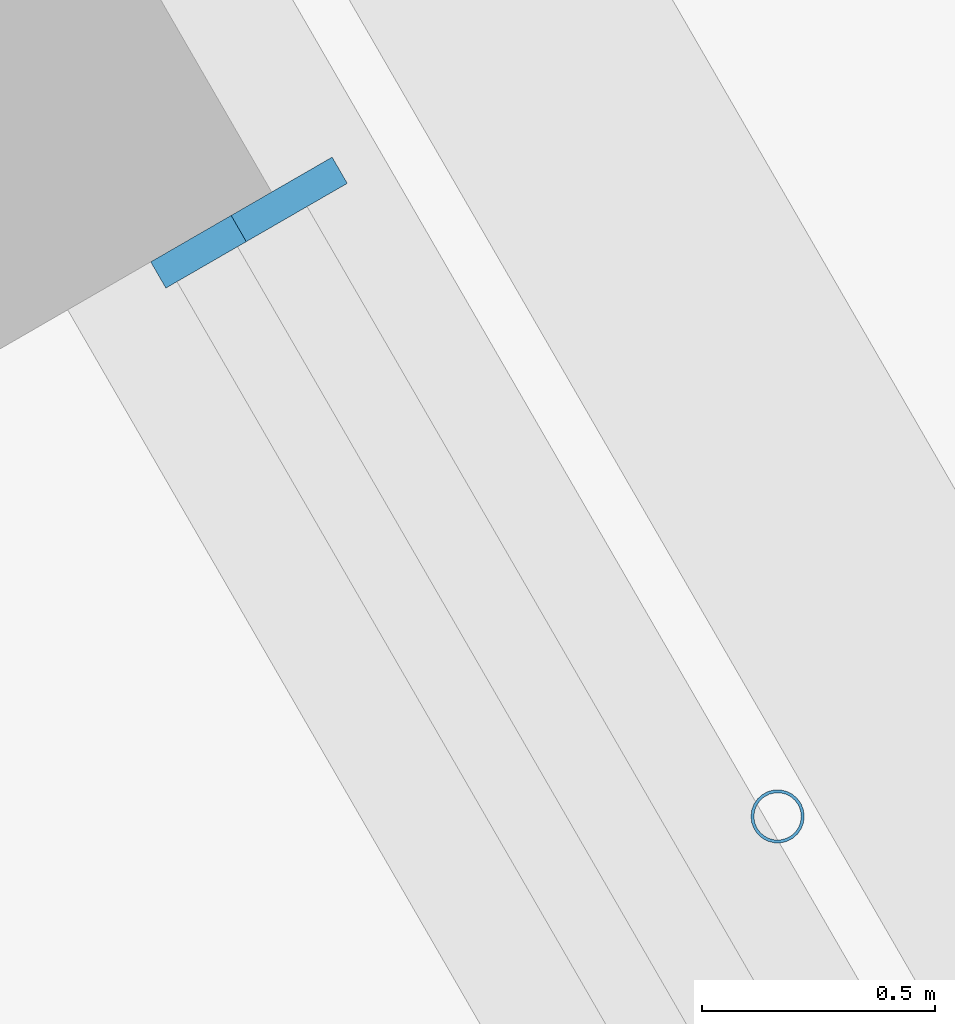
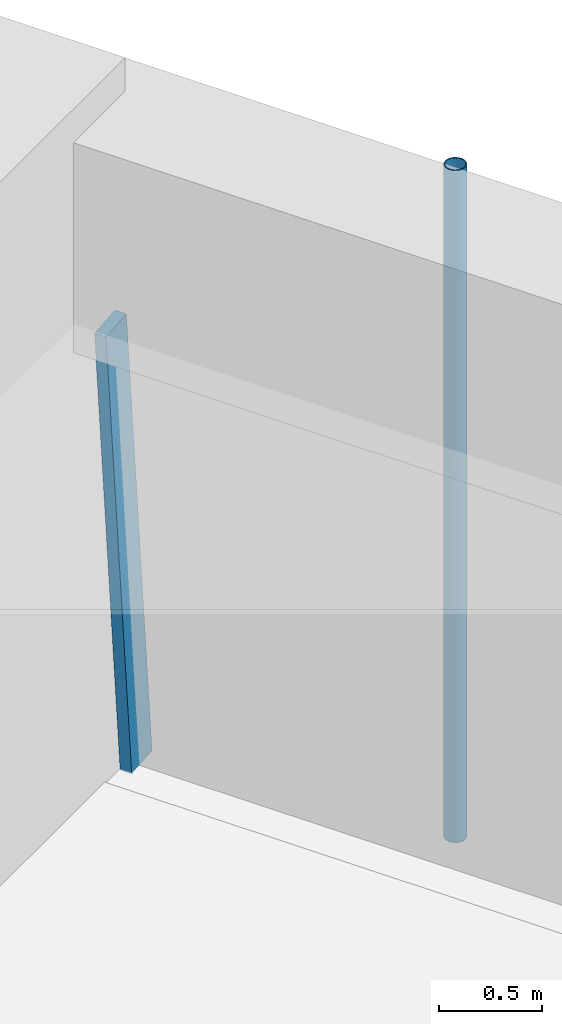
# One storey, part 15 of 24: 2 members, 1 element without a shape of its own.
"""IFC4 building model written with IfcOpenShell, lengths in metres."""

import ifcopenshell
import ifcopenshell.guid

model = None  # the IFC model being written
_history = None  # IfcOwnerHistory: only IFC2X3 demands one
_inside = {}  # id of a spatial element -> (the spatial element, [elements in it])
_under = {}  # id of a project, library or spatial element -> (it, [spatial elements below it])
_declared = {}  # id of a project -> (the project, [libraries it declares])
_typed = {}  # id of a type object -> (the type object, [elements of that type])
_made_of = {}  # id of a material, layer set ... -> (it, [elements and type objects made of it])


def new_model(schema):
    """Start an empty IFC model of exactly this schema.

    Asked for "IFC4X3", IfcOpenShell would pick the latest addendum, in which some entities
    have other attributes; the version numbers below select the first issue.
    IFC2X3 requires an IfcOwnerHistory on every rooted entity: one is made here for all.
    """
    global model, _history
    if schema == "IFC4X3":
        model = ifcopenshell.file(schema_version=(4, 3, 0, 0))
    else:
        model = ifcopenshell.file(schema=schema)
    _inside.clear()
    _under.clear()
    _declared.clear()
    _typed.clear()
    _made_of.clear()
    _history = None
    if model.schema == "IFC2X3":
        org = make("IfcOrganization", Name="unknown")
        user = make(
            "IfcPersonAndOrganization",
            ThePerson=make("IfcPerson", FamilyName="unknown"),
            TheOrganization=org,
        )
        app = make(
            "IfcApplication",
            ApplicationDeveloper=org,
            Version="unknown",
            ApplicationFullName="unknown",
            ApplicationIdentifier="unknown",
        )
        _history = make(
            "IfcOwnerHistory",
            OwningUser=user,
            OwningApplication=app,
            ChangeAction="ADDED",
            CreationDate=0,
        )
    return model


def make(cls, **values):
    """One entity of the class cls with the attributes given. An attribute that is None is left unset."""
    return model.create_entity(
        cls, **{name: value for name, value in values.items() if value is not None}
    )


def rooted(cls, **values):
    """An entity with a GlobalId (a new one), such as an element, a storey or a relation."""
    return make(cls, GlobalId=ifcopenshell.guid.new(), OwnerHistory=_history, **values)


def si_unit(unit_type, name, prefix=None):
    """IfcSIUnit, for example si_unit("LENGTHUNIT", "METRE", prefix="MILLI")."""
    return make("IfcSIUnit", UnitType=unit_type, Prefix=prefix, Name=name)


def assignment(units):
    """IfcUnitAssignment: the units of a project."""
    return None if units is None else make("IfcUnitAssignment", Units=units)


def point(xyz):
    """IfcCartesianPoint."""
    return None if xyz is None else make("IfcCartesianPoint", Coordinates=xyz)


def direction(xyz):
    """IfcDirection."""
    return None if xyz is None else make("IfcDirection", DirectionRatios=xyz)


def frame(location, z_axis=None, x_axis=None):
    """IfcAxis2Placement3D, a coordinate frame: its origin and axes. An axis left out is left unset."""
    return make(
        "IfcAxis2Placement3D",
        Location=point(location),
        Axis=direction(z_axis),
        RefDirection=direction(x_axis),
    )


def frame_2d(location, x_axis=None):
    """IfcAxis2Placement2D, a coordinate frame in the plane: its origin and x axis."""
    return make(
        "IfcAxis2Placement2D", Location=point(location), RefDirection=direction(x_axis)
    )


def origin():
    """The frame at (0, 0, 0) with its axes left unset."""
    return frame((0.0, 0.0, 0.0))


def origin_2d():
    """The frame at (0, 0) in the plane with its x axis left unset."""
    return frame_2d((0.0, 0.0))


def place(relative_to, where):
    """IfcLocalPlacement: puts the frame where relative to a parent placement (None: the world)."""
    return make(
        "IfcLocalPlacement", PlacementRelTo=relative_to, RelativePlacement=where
    )


def context(
    kind, dimensions, precision=None, world=None, true_north=None, identifier=None
):
    """IfcGeometricRepresentationContext, for example the 3D "Model" context."""
    return make(
        "IfcGeometricRepresentationContext",
        ContextIdentifier=identifier,
        ContextType=kind,
        CoordinateSpaceDimension=dimensions,
        Precision=precision,
        WorldCoordinateSystem=world,
        TrueNorth=true_north,
    )


def subcontext(parent, identifier, kind, view, scale=None):
    """IfcGeometricRepresentationSubContext, for example "Body" below "Model"."""
    return make(
        "IfcGeometricRepresentationSubContext",
        ContextIdentifier=identifier,
        ContextType=kind,
        ParentContext=parent,
        TargetScale=scale,
        TargetView=view,
    )


def project(units=None, contexts=None):
    """IfcProject with its units and contexts."""
    return rooted(
        "IfcProject",
        Name="project",
        RepresentationContexts=contexts,
        UnitsInContext=assignment(units),
    )


def spatial(cls, under=None, at=None, **own):
    """A site, building, storey or space (cls), placed at a placement, below another one or the project."""
    s = rooted(cls, ObjectPlacement=at, **own)
    if under is not None:
        _under.setdefault(under.id(), (under, []))[1].append(s)
    return s


def profile(cls, at=None, kind="AREA", **sizes):
    """A parametric profile (cls). Its sizes go by their IFC names, for example OverallWidth=200.0."""
    return make(cls, ProfileType=kind, Position=at, **sizes)


def rectangle(**sizes):
    """IfcRectangleProfileDef."""
    return profile("IfcRectangleProfileDef", **sizes)


def hollow_circle(**sizes):
    """IfcCircleHollowProfileDef."""
    return profile("IfcCircleHollowProfileDef", **sizes)


def extrude(swept, where, along, depth):
    """IfcExtrudedAreaSolid: the profile swept, set in the frame where, extruded along a direction by depth."""
    return make(
        "IfcExtrudedAreaSolid",
        SweptArea=swept,
        Position=where,
        ExtrudedDirection=direction(along),
        Depth=depth,
    )


def shape(context_of_items, identifier, shape_type, items):
    """IfcShapeRepresentation: the items that make up one representation, for example the "Body"."""
    return make(
        "IfcShapeRepresentation",
        ContextOfItems=context_of_items,
        RepresentationIdentifier=identifier,
        RepresentationType=shape_type,
        Items=items,
    )


def material(Name=None, Category=None):
    """IfcMaterial."""
    return make("IfcMaterial", Name=Name, Category=Category)


def material_profile(
    of_material, cross_section, Name=None, Category=None, Priority=None
):
    """IfcMaterialProfile: a cross section and its material."""
    return make(
        "IfcMaterialProfile",
        Name=Name,
        Material=of_material,
        Profile=cross_section,
        Priority=Priority,
        Category=Category,
    )


def profile_set(profiles, Name=None, composite=None):
    """IfcMaterialProfileSet."""
    return make(
        "IfcMaterialProfileSet",
        Name=Name,
        MaterialProfiles=profiles,
        CompositeProfile=composite,
    )


def made_of(thing, what):
    """Note that an element or type object is made of a material, layer set ...; save() writes the relation."""
    if what is not None:
        _made_of.setdefault(what.id(), (what, []))[1].append(thing)
    return thing


def type_object(cls, material=None, **own):
    """A type object (cls), such as IfcWallType, which elements share."""
    return made_of(rooted(cls, **own), material)


def element(
    cls,
    number,
    at=None,
    inside=None,
    cuts=None,
    type_object=None,
    material=None,
    context=None,
    identifier="Body",
    shape_type=None,
    held_by="IfcProductDefinitionShape",
    body=None,
    shapes=None,
    **own,
):
    """One element of the class cls, such as IfcWall. Its Tag is "e" and its number.

    at: its placement. inside: the storey or other place that contains it. cuts: it is an
    opening in that element (IfcRelVoidsElement). A single representation is given by context,
    identifier, shape_type and body (its items); several are given by shapes. held_by: the class
    of the entity that holds the representations. save() writes the other relations.
    """
    e = rooted(cls, Tag="e%d" % number, ObjectPlacement=at, **own)
    if body is not None:
        shapes = [shape(context, identifier, shape_type, body)]
    if shapes is not None:
        e.Representation = make(held_by, Representations=shapes)
    if inside is not None:
        _inside.setdefault(inside.id(), (inside, []))[1].append(e)
    if cuts is not None:
        rooted(
            "IfcRelVoidsElement", RelatingBuildingElement=cuts, RelatedOpeningElement=e
        )
    if type_object is not None:
        _typed.setdefault(type_object.id(), (type_object, []))[1].append(e)
    return made_of(e, material)


def aggregate(whole, parts):
    """IfcRelAggregates: a whole, such as a stair, and the parts it consists of."""
    return rooted("IfcRelAggregates", RelatingObject=whole, RelatedObjects=parts)


def save(model, path):
    """Write the relations noted so far, then the file.

    IfcRelAggregates (storeys below a building ...), IfcRelContainedInSpatialStructure (elements
    in a storey), IfcRelDefinesByType, IfcRelAssociatesMaterial and IfcRelDeclares: one each for
    every whole, place, type object, material and project.
    """
    for whole, parts in _under.values():
        aggregate(whole, parts)
    for where, things in _inside.values():
        rooted(
            "IfcRelContainedInSpatialStructure",
            RelatedElements=things,
            RelatingStructure=where,
        )
    for kind, things in _typed.values():
        rooted("IfcRelDefinesByType", RelatedObjects=things, RelatingType=kind)
    for what, things in _made_of.values():
        rooted("IfcRelAssociatesMaterial", RelatedObjects=things, RelatingMaterial=what)
    for by, libraries in _declared.values():
        rooted("IfcRelDeclares", RelatingContext=by, RelatedDefinitions=libraries)
    model.write(path)


model = new_model("IFC4")

# Units and contexts
model_context = context("Model", 3, precision=1e-05, world=origin(), true_north=direction((0.0, 1.0)))
body_context = subcontext(model_context, "Body", "Model", "MODEL_VIEW")
ifc_project = project(units=[si_unit("LENGTHUNIT", "METRE"), si_unit("AREAUNIT", "SQUARE_METRE"), si_unit("VOLUMEUNIT", "CUBIC_METRE"), si_unit("PLANEANGLEUNIT", "RADIAN"), si_unit("MASSUNIT", "GRAM", prefix="KILO")], contexts=[model_context])

# Site, building, storey
site_placement = place(None, origin())
site = spatial("IfcSite", under=ifc_project, at=site_placement, CompositionType="ELEMENT")
building_placement = place(site_placement, origin())
building = spatial("IfcBuilding", under=site, at=building_placement, Name="Tarfa Lantern Tower", CompositionType="ELEMENT")
storey_placement = place(building_placement, frame((0.0, 0.0, 174.10009765625)))
storey = spatial("IfcBuildingStorey", under=building, at=storey_placement, Name="L39", CompositionType="ELEMENT", Elevation=174.10009765625)

# Curtain wall, member
ifc_material_1 = material(Name="Aluminium framed curtain wall", Category="aluminium")
curtain_wall_type = type_object("IfcCurtainWallType", Name="CW2 CANTED GLAZING MID ZONE 2750", PredefinedType="USERDEFINED", material=ifc_material_1)
curtain_wall_placement = place(storey_placement, origin())
curtain_wall = element("IfcCurtainWall", 1, at=curtain_wall_placement, inside=storey, type_object=curtain_wall_type, Name="CW2 NE L39", ObjectType="CURTAIN WALL", PredefinedType="USERDEFINED")
ifc_material_2 = material(Name="Aluminium mullion", Category="aluminium")
ifc_material_profile_1 = material_profile(ifc_material_2, rectangle(XDim=0.06494140625, YDim=0.199951171875, at=origin_2d()), Name="AL MULLION 65x200")
ifc_profile_set_1 = profile_set([ifc_material_profile_1], Name="Aluminium mullion")
member_type_1 = type_object("IfcMemberType", Name="CWM1 MULLION 65x200", PredefinedType="MULLION", material=ifc_profile_set_1)
member_1_placement = place(storey_placement, frame((30.111328125, 10.645751953125, 0.0), z_axis=(-0.078422950161, -0.045267813396, 0.995891894715), x_axis=(0.499919672301, -0.866071776036, 0.0)))
member_1 = element("IfcMember", 2, at=member_1_placement, type_object=member_type_1, Name="CW2 mullion 2", PredefinedType="MULLION", context=body_context, shape_type="SweptSolid", body=[
    extrude(rectangle(XDim=0.06494140625, YDim=0.199951171875, at=origin_2d()), origin(), (0.0, 0.0, 1.0), 2.76123046875),
])
aggregate(curtain_wall, [member_1])

# Member
ifc_material_3 = material(Name="Steel S355", Category="steel")
ifc_material_profile_2 = material_profile(ifc_material_3, hollow_circle(Radius=0.05712890625, WallThickness=0.00634765625, at=origin_2d()), Name="CHS114.3x6.3")
ifc_profile_set_2 = profile_set([ifc_material_profile_2], Name="Steel S355")
member_type_2 = type_object("IfcMemberType", Name="TR1 GREEN WALL TRELLIS CHS114.3x6.3", PredefinedType="USERDEFINED", material=ifc_profile_set_2)
member_2_placement = place(storey_placement, frame((31.136474609375, 9.31005859375, 0.0), z_axis=(0.0, 0.0, 1.0), x_axis=(1.0, 0.0, 0.0)))
element("IfcMember", 3, at=member_2_placement, inside=storey, type_object=member_type_2, Name="Trellis post NE 1", ObjectType="TRELLIS", PredefinedType="USERDEFINED", context=body_context, shape_type="SweptSolid", body=[
    extrude(hollow_circle(Radius=0.05712890625, WallThickness=0.00634765625, at=origin_2d()), origin(), (0.0, 0.0, 1.0), 4.0),
])

save(model, "model.ifc")
